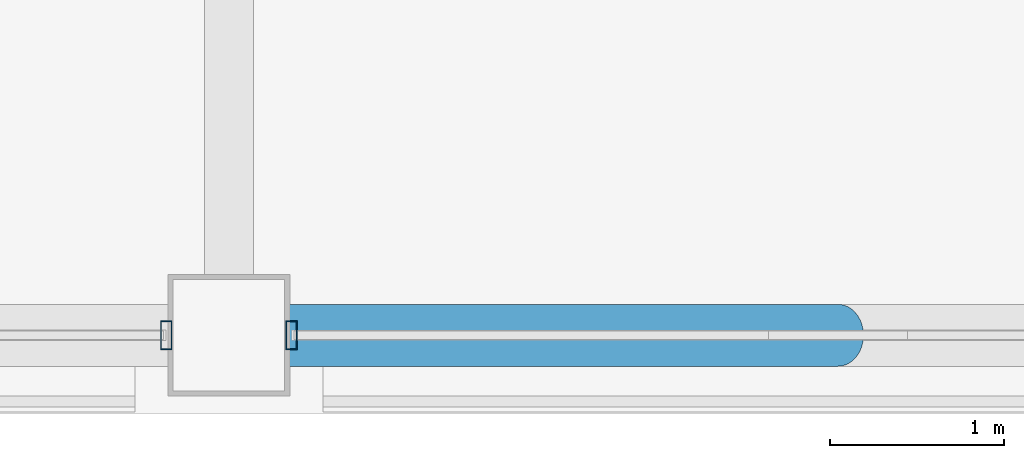
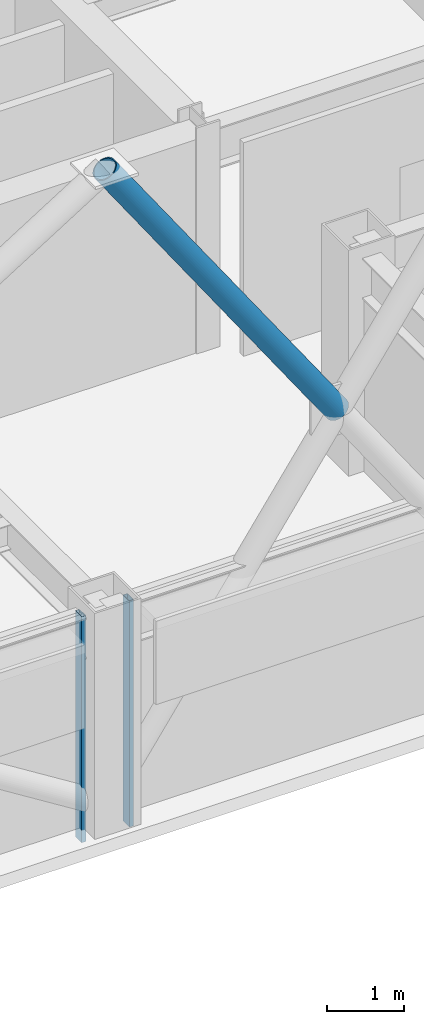
# One storey, part 8 of 33: 3 members, 2 elements without a shape of their own.
"""IFC4 building model written with IfcOpenShell, lengths in metres."""

from ifc_helpers import new_model, si_unit, direction, frame, origin, origin_2d, place, context, subcontext, project, spatial, hollow_rectangle, hollow_circle, extrude, material, layer, layer_set, material_profile, profile_set, type_object, element, aggregate, save


model = new_model("IFC4")

# Units and contexts
model_context = context("Model", 3, precision=1e-05, world=origin(), true_north=direction((0.0, 1.0)))
body_context = subcontext(model_context, "Body", "Model", "MODEL_VIEW")
ifc_project = project(units=[si_unit("LENGTHUNIT", "METRE"), si_unit("AREAUNIT", "SQUARE_METRE"), si_unit("VOLUMEUNIT", "CUBIC_METRE"), si_unit("PLANEANGLEUNIT", "RADIAN"), si_unit("MASSUNIT", "GRAM", prefix="KILO")], contexts=[model_context])

# Site, building, storey
site_placement = place(None, origin())
site = spatial("IfcSite", under=ifc_project, at=site_placement, CompositionType="ELEMENT")
building_placement = place(site_placement, origin())
building = spatial("IfcBuilding", under=site, at=building_placement, Name="Brelmoor Portico Tower", CompositionType="ELEMENT")
storey_placement = place(building_placement, frame((0.0, 0.0, 183.89990234375)))
storey = spatial("IfcBuildingStorey", under=building, at=storey_placement, Name="L48", CompositionType="ELEMENT", Elevation=183.89990234375)

# Member
ifc_material_1 = material(Name="Steel Q355B", Category="steel")
ifc_material_profile_1 = material_profile(ifc_material_1, hollow_circle(Radius=0.177978515625, WallThickness=0.01611328125, at=origin_2d()), Name="CHS 356x16")
ifc_profile_set_1 = profile_set([ifc_material_profile_1], Name="Steel Q355B")
member_type_1 = type_object("IfcMemberType", Name="MB-BELT-DIAG2", PredefinedType="BRACE", material=ifc_profile_set_1)
member_1_placement = place(storey_placement, frame((11.550048828125, -18.550048828125, 5.300048828125), z_axis=(-0.569629338867, 0.0, 0.821901707203), x_axis=(0.0, -1.0, 0.0)))
element("IfcMember", 1, at=member_1_placement, inside=storey, type_object=member_type_1, Name="L48 Split Mega-X Brace 107B2", PredefinedType="BRACE", context=body_context, shape_type="SweptSolid", body=[
    extrude(hollow_circle(Radius=0.177978515625, WallThickness=0.01611328125, at=origin_2d()), origin(), (0.0, 0.0, 1.0), 6.144287109375),
])

# Curtain wall, member
ifc_material_2 = material(Name="Anodised Aluminium Alloy 6063-T6", Category="aluminium")
ifc_layer = layer(ifc_material_2, 0.179931640625)
ifc_layer_set = layer_set([ifc_layer], Name="Anodised Aluminium Alloy 6063-T6")
curtain_wall_type = type_object("IfcCurtainWallType", Name="CW-TOWER-Z3-XB", PredefinedType="NOTDEFINED", material=ifc_layer_set)
curtain_wall_1_placement = place(storey_placement, origin())
curtain_wall_1 = element("IfcCurtainWall", 2, at=curtain_wall_1_placement, inside=storey, type_object=curtain_wall_type, Name="L48 Curtain Wall CW-L48-01-2", PredefinedType="NOTDEFINED")
ifc_material_profile_2 = material_profile(ifc_material_2, hollow_rectangle(XDim=0.06494140625, YDim=0.1650390625, WallThickness=0.00390625, at=origin_2d()), Name="ALU MULLION 65x165")
ifc_profile_set_2 = profile_set([ifc_material_profile_2], Name="Anodised Aluminium Alloy 6063-T6")
member_type_2 = type_object("IfcMemberType", Name="MB-CW-MULL-165", PredefinedType="MULLION", material=ifc_profile_set_2)
member_2_placement = place(storey_placement, frame((7.68994140625, -18.550048828125, -0.199951171875), z_axis=(0.0, 0.0, 1.0), x_axis=(1.0, 0.0, 0.0)))
member_2 = element("IfcMember", 3, at=member_2_placement, type_object=member_type_2, Name="CW-L48-01-2 Mullion 01", PredefinedType="MULLION", context=body_context, shape_type="SweptSolid", body=[
    extrude(hollow_rectangle(XDim=0.06494140625, YDim=0.1650390625, WallThickness=0.00390625, at=origin_2d()), origin(), (0.0, 0.0, 1.0), 3.60009765625),
])
aggregate(curtain_wall_1, [member_2])

curtain_wall_2_placement = place(storey_placement, origin())
curtain_wall_2 = element("IfcCurtainWall", 4, at=curtain_wall_2_placement, inside=storey, type_object=curtain_wall_type, Name="L48 Curtain Wall CW-L48-01-3", PredefinedType="NOTDEFINED")
member_3_placement = place(storey_placement, frame((8.409912109375, -18.550048828125, -0.199951171875), z_axis=(0.0, 0.0, 1.0), x_axis=(1.0, 0.0, 0.0)))
member_3 = element("IfcMember", 5, at=member_3_placement, type_object=member_type_2, Name="CW-L48-01-3 Mullion 00", PredefinedType="MULLION", context=body_context, shape_type="SweptSolid", body=[
    extrude(hollow_rectangle(XDim=0.06494140625, YDim=0.1650390625, WallThickness=0.00390625, at=origin_2d()), origin(), (0.0, 0.0, 1.0), 3.60009765625),
])
aggregate(curtain_wall_2, [member_3])

save(model, "model.ifc")
